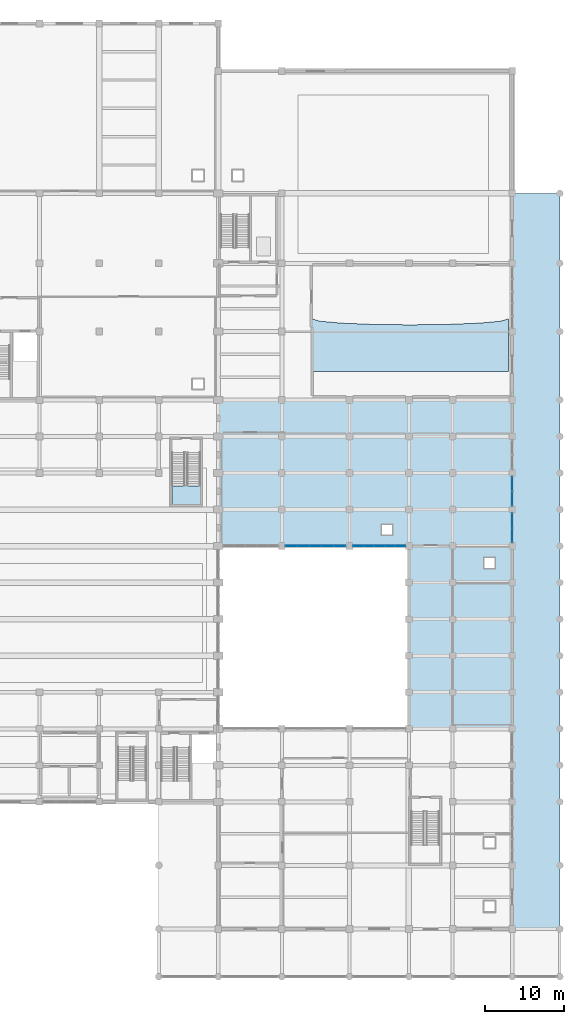
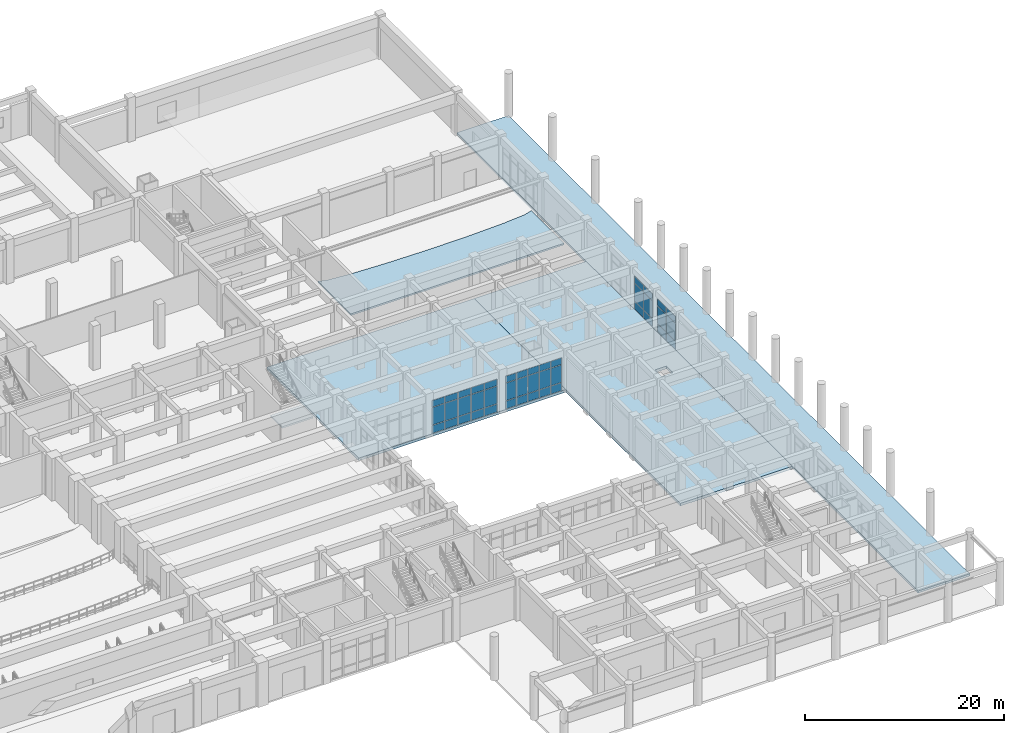
# One storey, part 59 of 84: 42 plates, 5 slabs, 5 elements without a shape of their own.
"""IFC4 building model written with IfcOpenShell, lengths in metres."""

import ifcopenshell
import ifcopenshell.guid

model = None  # the IFC model being written
_history = None  # IfcOwnerHistory: only IFC2X3 demands one
_inside = {}  # id of a spatial element -> (the spatial element, [elements in it])
_under = {}  # id of a project, library or spatial element -> (it, [spatial elements below it])
_declared = {}  # id of a project -> (the project, [libraries it declares])
_typed = {}  # id of a type object -> (the type object, [elements of that type])
_made_of = {}  # id of a material, layer set ... -> (it, [elements and type objects made of it])


def new_model(schema):
    """Start an empty IFC model of exactly this schema.

    Asked for "IFC4X3", IfcOpenShell would pick the latest addendum, in which some entities
    have other attributes; the version numbers below select the first issue.
    IFC2X3 requires an IfcOwnerHistory on every rooted entity: one is made here for all.
    """
    global model, _history
    if schema == "IFC4X3":
        model = ifcopenshell.file(schema_version=(4, 3, 0, 0))
    else:
        model = ifcopenshell.file(schema=schema)
    _inside.clear()
    _under.clear()
    _declared.clear()
    _typed.clear()
    _made_of.clear()
    _history = None
    if model.schema == "IFC2X3":
        org = make("IfcOrganization", Name="unknown")
        user = make(
            "IfcPersonAndOrganization",
            ThePerson=make("IfcPerson", FamilyName="unknown"),
            TheOrganization=org,
        )
        app = make(
            "IfcApplication",
            ApplicationDeveloper=org,
            Version="unknown",
            ApplicationFullName="unknown",
            ApplicationIdentifier="unknown",
        )
        _history = make(
            "IfcOwnerHistory",
            OwningUser=user,
            OwningApplication=app,
            ChangeAction="ADDED",
            CreationDate=0,
        )
    return model


def make(cls, **values):
    """One entity of the class cls with the attributes given. An attribute that is None is left unset."""
    return model.create_entity(
        cls, **{name: value for name, value in values.items() if value is not None}
    )


def rooted(cls, **values):
    """An entity with a GlobalId (a new one), such as an element, a storey or a relation."""
    return make(cls, GlobalId=ifcopenshell.guid.new(), OwnerHistory=_history, **values)


def si_unit(unit_type, name, prefix=None):
    """IfcSIUnit, for example si_unit("LENGTHUNIT", "METRE", prefix="MILLI")."""
    return make("IfcSIUnit", UnitType=unit_type, Prefix=prefix, Name=name)


def assignment(units):
    """IfcUnitAssignment: the units of a project."""
    return None if units is None else make("IfcUnitAssignment", Units=units)


def point(xyz):
    """IfcCartesianPoint."""
    return None if xyz is None else make("IfcCartesianPoint", Coordinates=xyz)


def direction(xyz):
    """IfcDirection."""
    return None if xyz is None else make("IfcDirection", DirectionRatios=xyz)


def frame(location, z_axis=None, x_axis=None):
    """IfcAxis2Placement3D, a coordinate frame: its origin and axes. An axis left out is left unset."""
    return make(
        "IfcAxis2Placement3D",
        Location=point(location),
        Axis=direction(z_axis),
        RefDirection=direction(x_axis),
    )


def frame_2d(location, x_axis=None):
    """IfcAxis2Placement2D, a coordinate frame in the plane: its origin and x axis."""
    return make(
        "IfcAxis2Placement2D", Location=point(location), RefDirection=direction(x_axis)
    )


def origin():
    """The frame at (0, 0, 0) with its axes left unset."""
    return frame((0.0, 0.0, 0.0))


def origin_2d():
    """The frame at (0, 0) in the plane with its x axis left unset."""
    return frame_2d((0.0, 0.0))


def place(relative_to, where):
    """IfcLocalPlacement: puts the frame where relative to a parent placement (None: the world)."""
    return make(
        "IfcLocalPlacement", PlacementRelTo=relative_to, RelativePlacement=where
    )


def context(
    kind, dimensions, precision=None, world=None, true_north=None, identifier=None
):
    """IfcGeometricRepresentationContext, for example the 3D "Model" context."""
    return make(
        "IfcGeometricRepresentationContext",
        ContextIdentifier=identifier,
        ContextType=kind,
        CoordinateSpaceDimension=dimensions,
        Precision=precision,
        WorldCoordinateSystem=world,
        TrueNorth=true_north,
    )


def subcontext(parent, identifier, kind, view, scale=None):
    """IfcGeometricRepresentationSubContext, for example "Body" below "Model"."""
    return make(
        "IfcGeometricRepresentationSubContext",
        ContextIdentifier=identifier,
        ContextType=kind,
        ParentContext=parent,
        TargetScale=scale,
        TargetView=view,
    )


def project(units=None, contexts=None):
    """IfcProject with its units and contexts."""
    return rooted(
        "IfcProject",
        Name="project",
        RepresentationContexts=contexts,
        UnitsInContext=assignment(units),
    )


def spatial(cls, under=None, at=None, **own):
    """A site, building, storey or space (cls), placed at a placement, below another one or the project."""
    s = rooted(cls, ObjectPlacement=at, **own)
    if under is not None:
        _under.setdefault(under.id(), (under, []))[1].append(s)
    return s


def polyline(points):
    """IfcPolyline through the points."""
    return make("IfcPolyline", Points=[point(p) for p in points])


def profile(cls, at=None, kind="AREA", **sizes):
    """A parametric profile (cls). Its sizes go by their IFC names, for example OverallWidth=200.0."""
    return make(cls, ProfileType=kind, Position=at, **sizes)


def rectangle(**sizes):
    """IfcRectangleProfileDef."""
    return profile("IfcRectangleProfileDef", **sizes)


def outline(outer, holes=None, kind="AREA"):
    """IfcArbitraryClosedProfileDef: a profile drawn as a closed curve; with holes, ...WithVoids."""
    if holes is None:
        return make("IfcArbitraryClosedProfileDef", ProfileType=kind, OuterCurve=outer)
    return make(
        "IfcArbitraryProfileDefWithVoids",
        ProfileType=kind,
        OuterCurve=outer,
        InnerCurves=holes,
    )


def extrude(swept, where, along, depth):
    """IfcExtrudedAreaSolid: the profile swept, set in the frame where, extruded along a direction by depth."""
    return make(
        "IfcExtrudedAreaSolid",
        SweptArea=swept,
        Position=where,
        ExtrudedDirection=direction(along),
        Depth=depth,
    )


def shape(context_of_items, identifier, shape_type, items):
    """IfcShapeRepresentation: the items that make up one representation, for example the "Body"."""
    return make(
        "IfcShapeRepresentation",
        ContextOfItems=context_of_items,
        RepresentationIdentifier=identifier,
        RepresentationType=shape_type,
        Items=items,
    )


def material(Name=None, Category=None):
    """IfcMaterial."""
    return make("IfcMaterial", Name=Name, Category=Category)


def layer(
    of_material, thickness, ventilated=None, Name=None, Category=None, Priority=None
):
    """IfcMaterialLayer: one layer of a wall or slab, of a material (None: an air gap)."""
    return make(
        "IfcMaterialLayer",
        Material=of_material,
        LayerThickness=thickness,
        IsVentilated=ventilated,
        Name=Name,
        Category=Category,
        Priority=Priority,
    )


def layer_set(layers, Name=None):
    """IfcMaterialLayerSet."""
    return make("IfcMaterialLayerSet", MaterialLayers=layers, LayerSetName=Name)


def made_of(thing, what):
    """Note that an element or type object is made of a material, layer set ...; save() writes the relation."""
    if what is not None:
        _made_of.setdefault(what.id(), (what, []))[1].append(thing)
    return thing


def type_object(cls, material=None, **own):
    """A type object (cls), such as IfcWallType, which elements share."""
    return made_of(rooted(cls, **own), material)


def element(
    cls,
    number,
    at=None,
    inside=None,
    cuts=None,
    type_object=None,
    material=None,
    context=None,
    identifier="Body",
    shape_type=None,
    held_by="IfcProductDefinitionShape",
    body=None,
    shapes=None,
    **own,
):
    """One element of the class cls, such as IfcWall. Its Tag is "e" and its number.

    at: its placement. inside: the storey or other place that contains it. cuts: it is an
    opening in that element (IfcRelVoidsElement). A single representation is given by context,
    identifier, shape_type and body (its items); several are given by shapes. held_by: the class
    of the entity that holds the representations. save() writes the other relations.
    """
    e = rooted(cls, Tag="e%d" % number, ObjectPlacement=at, **own)
    if body is not None:
        shapes = [shape(context, identifier, shape_type, body)]
    if shapes is not None:
        e.Representation = make(held_by, Representations=shapes)
    if inside is not None:
        _inside.setdefault(inside.id(), (inside, []))[1].append(e)
    if cuts is not None:
        rooted(
            "IfcRelVoidsElement", RelatingBuildingElement=cuts, RelatedOpeningElement=e
        )
    if type_object is not None:
        _typed.setdefault(type_object.id(), (type_object, []))[1].append(e)
    return made_of(e, material)


def aggregate(whole, parts):
    """IfcRelAggregates: a whole, such as a stair, and the parts it consists of."""
    return rooted("IfcRelAggregates", RelatingObject=whole, RelatedObjects=parts)


def save(model, path):
    """Write the relations noted so far, then the file.

    IfcRelAggregates (storeys below a building ...), IfcRelContainedInSpatialStructure (elements
    in a storey), IfcRelDefinesByType, IfcRelAssociatesMaterial and IfcRelDeclares: one each for
    every whole, place, type object, material and project.
    """
    for whole, parts in _under.values():
        aggregate(whole, parts)
    for where, things in _inside.values():
        rooted(
            "IfcRelContainedInSpatialStructure",
            RelatedElements=things,
            RelatingStructure=where,
        )
    for kind, things in _typed.values():
        rooted("IfcRelDefinesByType", RelatedObjects=things, RelatingType=kind)
    for what, things in _made_of.values():
        rooted("IfcRelAssociatesMaterial", RelatedObjects=things, RelatingMaterial=what)
    for by, libraries in _declared.values():
        rooted("IfcRelDeclares", RelatingContext=by, RelatedDefinitions=libraries)
    model.write(path)


model = new_model("IFC4")

# Units and contexts
model_context = context("Model", 3, precision=1e-05, world=origin(), true_north=direction((0.0, 1.0)))
body_context = subcontext(model_context, "Body", "Model", "MODEL_VIEW")
ifc_project = project(units=[si_unit("LENGTHUNIT", "METRE"), si_unit("AREAUNIT", "SQUARE_METRE"), si_unit("VOLUMEUNIT", "CUBIC_METRE"), si_unit("PLANEANGLEUNIT", "RADIAN"), si_unit("MASSUNIT", "GRAM", prefix="KILO")], contexts=[model_context])

# Site, building, storey
site_placement = place(None, origin())
site = spatial("IfcSite", under=ifc_project, at=site_placement, CompositionType="ELEMENT")
building_placement = place(site_placement, origin())
building = spatial("IfcBuilding", under=site, at=building_placement, Name="Muzn Square Opera House", CompositionType="ELEMENT")
storey_placement = place(building_placement, origin())
storey = spatial("IfcBuildingStorey", under=building, at=storey_placement, Name="L00", CompositionType="ELEMENT", Elevation=0.0)

# Slab
ifc_material_1 = material(Name="Concrete C40/50", Category="concrete")
ifc_layer_1 = layer(ifc_material_1, 0.199951171875, Name="Concrete C40/50", Category="concrete")
ifc_layer_set_1 = layer_set([ifc_layer_1], Name="Concrete C40/50")
slab_type_1 = type_object("IfcSlabType", Name="Auditorium Seating Tier 200mm", PredefinedType="USERDEFINED", material=ifc_layer_set_1)
slab_1_placement = place(storey_placement, origin())
element("IfcSlab", 1, at=slab_1_placement, inside=storey, type_object=slab_type_1, Name="Studio Theatre Seating Tier L00", ObjectType="SEATING TIER", PredefinedType="USERDEFINED", context=body_context, shape_type="SweptSolid", body=[
    extrude(outline(polyline([(144.800048828125, 76.199951171875), (169.5, 76.199951171875), (169.5, 82.800048828125), (168.559814453125, 82.512939453125), (165.8828125, 82.269775390625), (161.876220703125, 82.107177734375), (157.14990234375, 82.050048828125), (152.423828125, 82.107177734375), (148.417236328125, 82.269775390625), (145.739990234375, 82.512939453125), (144.800048828125, 82.800048828125), (144.800048828125, 76.199951171875)])), origin(), (0.0, 0.0, 1.0), 0.199951171875),
])

# Curtain wall, plates
ifc_material_2 = material(Name="Low-E laminated acoustic double glazing", Category="glass")
ifc_layer_2 = layer(ifc_material_2, 0.159912109375, Name="Low-E laminated acoustic double glazing", Category="glass")
ifc_layer_set_2 = layer_set([ifc_layer_2], Name="Low-E laminated acoustic double glazing")
curtain_wall_type_1 = type_object("IfcCurtainWallType", Name="Glazed Curtain Wall EastCloisterN 7650x4150", PredefinedType="USERDEFINED", material=ifc_layer_set_2)
curtain_wall_1_placement = place(storey_placement, origin())
curtain_wall_1 = element("IfcCurtainWall", 2, at=curtain_wall_1_placement, inside=storey, type_object=curtain_wall_type_1, Name="Glazed Curtain Wall CW-L00-078", ObjectType="GLAZED CURTAIN WALL", PredefinedType="USERDEFINED")
ifc_layer_3 = layer(ifc_material_2, 0.035888671875, Name="Low-E laminated acoustic double glazing", Category="glass")
ifc_layer_set_3 = layer_set([ifc_layer_3], Name="Low-E laminated acoustic double glazing")
plate_type = type_object("IfcPlateType", Name="Curtain Wall Solar Glazed Panel 36mm", PredefinedType="CURTAIN_PANEL", material=ifc_layer_set_3)
plate_1_placement = place(storey_placement, frame((142.20751953125, 54.199951171875, 0.06982421875), z_axis=(0.0, 0.0, 1.0), x_axis=(1.0, 0.0, 0.0)))
plate_1 = element("IfcPlate", 3, at=plate_1_placement, type_object=plate_type, Name="CW-ECN-76x41 panel 1.1", PredefinedType="CURTAIN_PANEL", context=body_context, shape_type="SweptSolid", body=[
    extrude(rectangle(XDim=1.425048828125, YDim=0.035888671875, at=origin_2d()), origin(), (0.0, 0.0, 1.0), 0.945068359375),
])
plate_2_placement = place(storey_placement, frame((142.20751953125, 54.199951171875, 1.0849609375), z_axis=(0.0, 0.0, 1.0), x_axis=(1.0, 0.0, 0.0)))
plate_2 = element("IfcPlate", 4, at=plate_2_placement, type_object=plate_type, Name="CW-ECN-76x41 panel 1.2", PredefinedType="CURTAIN_PANEL", context=body_context, shape_type="SweptSolid", body=[
    extrude(rectangle(XDim=1.425048828125, YDim=0.035888671875, at=origin_2d()), origin(), (0.0, 0.0, 1.0), 2.1298828125),
])
plate_3_placement = place(storey_placement, frame((142.20751953125, 54.199951171875, 3.28515625), z_axis=(0.0, 0.0, 1.0), x_axis=(1.0, 0.0, 0.0)))
plate_3 = element("IfcPlate", 5, at=plate_3_placement, type_object=plate_type, Name="CW-ECN-76x41 panel 1.3", PredefinedType="CURTAIN_PANEL", context=body_context, shape_type="SweptSolid", body=[
    extrude(rectangle(XDim=1.425048828125, YDim=0.035888671875, at=origin_2d()), origin(), (0.0, 0.0, 1.0), 0.794921875),
])
plate_4_placement = place(storey_placement, frame((143.719970703125, 54.199951171875, 0.06982421875), z_axis=(0.0, 0.0, 1.0), x_axis=(1.0, 0.0, 0.0)))
plate_4 = element("IfcPlate", 6, at=plate_4_placement, type_object=plate_type, Name="CW-ECN-76x41 panel 2.1", PredefinedType="CURTAIN_PANEL", context=body_context, shape_type="SweptSolid", body=[
    extrude(rectangle(XDim=1.4599609375, YDim=0.035888671875, at=origin_2d()), origin(), (0.0, 0.0, 1.0), 0.945068359375),
])
plate_5_placement = place(storey_placement, frame((143.719970703125, 54.199951171875, 1.0849609375), z_axis=(0.0, 0.0, 1.0), x_axis=(1.0, 0.0, 0.0)))
plate_5 = element("IfcPlate", 7, at=plate_5_placement, type_object=plate_type, Name="CW-ECN-76x41 panel 2.2", PredefinedType="CURTAIN_PANEL", context=body_context, shape_type="SweptSolid", body=[
    extrude(rectangle(XDim=1.4599609375, YDim=0.035888671875, at=origin_2d()), origin(), (0.0, 0.0, 1.0), 2.1298828125),
])
plate_6_placement = place(storey_placement, frame((143.719970703125, 54.199951171875, 3.28515625), z_axis=(0.0, 0.0, 1.0), x_axis=(1.0, 0.0, 0.0)))
plate_6 = element("IfcPlate", 8, at=plate_6_placement, type_object=plate_type, Name="CW-ECN-76x41 panel 2.3", PredefinedType="CURTAIN_PANEL", context=body_context, shape_type="SweptSolid", body=[
    extrude(rectangle(XDim=1.4599609375, YDim=0.035888671875, at=origin_2d()), origin(), (0.0, 0.0, 1.0), 0.794921875),
])
plate_7_placement = place(storey_placement, frame((145.25, 54.199951171875, 0.06982421875), z_axis=(0.0, 0.0, 1.0), x_axis=(1.0, 0.0, 0.0)))
plate_7 = element("IfcPlate", 9, at=plate_7_placement, type_object=plate_type, Name="CW-ECN-76x41 panel 3.1", PredefinedType="CURTAIN_PANEL", context=body_context, shape_type="SweptSolid", body=[
    extrude(rectangle(XDim=1.4599609375, YDim=0.035888671875, at=origin_2d()), origin(), (0.0, 0.0, 1.0), 0.945068359375),
])
plate_8_placement = place(storey_placement, frame((145.25, 54.199951171875, 1.0849609375), z_axis=(0.0, 0.0, 1.0), x_axis=(1.0, 0.0, 0.0)))
plate_8 = element("IfcPlate", 10, at=plate_8_placement, type_object=plate_type, Name="CW-ECN-76x41 panel 3.2", PredefinedType="CURTAIN_PANEL", context=body_context, shape_type="SweptSolid", body=[
    extrude(rectangle(XDim=1.4599609375, YDim=0.035888671875, at=origin_2d()), origin(), (0.0, 0.0, 1.0), 2.1298828125),
])
plate_9_placement = place(storey_placement, frame((145.25, 54.199951171875, 3.28515625), z_axis=(0.0, 0.0, 1.0), x_axis=(1.0, 0.0, 0.0)))
plate_9 = element("IfcPlate", 11, at=plate_9_placement, type_object=plate_type, Name="CW-ECN-76x41 panel 3.3", PredefinedType="CURTAIN_PANEL", context=body_context, shape_type="SweptSolid", body=[
    extrude(rectangle(XDim=1.4599609375, YDim=0.035888671875, at=origin_2d()), origin(), (0.0, 0.0, 1.0), 0.794921875),
])
plate_10_placement = place(storey_placement, frame((146.780029296875, 54.199951171875, 0.06982421875), z_axis=(0.0, 0.0, 1.0), x_axis=(1.0, 0.0, 0.0)))
plate_10 = element("IfcPlate", 12, at=plate_10_placement, type_object=plate_type, Name="CW-ECN-76x41 panel 4.1", PredefinedType="CURTAIN_PANEL", context=body_context, shape_type="SweptSolid", body=[
    extrude(rectangle(XDim=1.4599609375, YDim=0.035888671875, at=origin_2d()), origin(), (0.0, 0.0, 1.0), 0.945068359375),
])
plate_11_placement = place(storey_placement, frame((146.780029296875, 54.199951171875, 1.0849609375), z_axis=(0.0, 0.0, 1.0), x_axis=(1.0, 0.0, 0.0)))
plate_11 = element("IfcPlate", 13, at=plate_11_placement, type_object=plate_type, Name="CW-ECN-76x41 panel 4.2", PredefinedType="CURTAIN_PANEL", context=body_context, shape_type="SweptSolid", body=[
    extrude(rectangle(XDim=1.4599609375, YDim=0.035888671875, at=origin_2d()), origin(), (0.0, 0.0, 1.0), 2.1298828125),
])
plate_12_placement = place(storey_placement, frame((146.780029296875, 54.199951171875, 3.28515625), z_axis=(0.0, 0.0, 1.0), x_axis=(1.0, 0.0, 0.0)))
plate_12 = element("IfcPlate", 14, at=plate_12_placement, type_object=plate_type, Name="CW-ECN-76x41 panel 4.3", PredefinedType="CURTAIN_PANEL", context=body_context, shape_type="SweptSolid", body=[
    extrude(rectangle(XDim=1.4599609375, YDim=0.035888671875, at=origin_2d()), origin(), (0.0, 0.0, 1.0), 0.794921875),
])
plate_13_placement = place(storey_placement, frame((148.29248046875, 54.199951171875, 0.06982421875), z_axis=(0.0, 0.0, 1.0), x_axis=(1.0, 0.0, 0.0)))
plate_13 = element("IfcPlate", 15, at=plate_13_placement, type_object=plate_type, Name="CW-ECN-76x41 panel 5.1", PredefinedType="CURTAIN_PANEL", context=body_context, shape_type="SweptSolid", body=[
    extrude(rectangle(XDim=1.425048828125, YDim=0.035888671875, at=origin_2d()), origin(), (0.0, 0.0, 1.0), 0.945068359375),
])
plate_14_placement = place(storey_placement, frame((148.29248046875, 54.199951171875, 1.0849609375), z_axis=(0.0, 0.0, 1.0), x_axis=(1.0, 0.0, 0.0)))
plate_14 = element("IfcPlate", 16, at=plate_14_placement, type_object=plate_type, Name="CW-ECN-76x41 panel 5.2", PredefinedType="CURTAIN_PANEL", context=body_context, shape_type="SweptSolid", body=[
    extrude(rectangle(XDim=1.425048828125, YDim=0.035888671875, at=origin_2d()), origin(), (0.0, 0.0, 1.0), 2.1298828125),
])
plate_15_placement = place(storey_placement, frame((148.29248046875, 54.199951171875, 3.28515625), z_axis=(0.0, 0.0, 1.0), x_axis=(1.0, 0.0, 0.0)))
plate_15 = element("IfcPlate", 17, at=plate_15_placement, type_object=plate_type, Name="CW-ECN-76x41 panel 5.3", PredefinedType="CURTAIN_PANEL", context=body_context, shape_type="SweptSolid", body=[
    extrude(rectangle(XDim=1.425048828125, YDim=0.035888671875, at=origin_2d()), origin(), (0.0, 0.0, 1.0), 0.794921875),
])
aggregate(curtain_wall_1, [plate_1, plate_2, plate_3, plate_4, plate_5, plate_6, plate_7, plate_8, plate_9, plate_10, plate_11, plate_12, plate_13, plate_14, plate_15])

ifc_layer_4 = layer(ifc_material_2, 0.159912109375, Name="Low-E laminated acoustic double glazing", Category="glass")
ifc_layer_set_4 = layer_set([ifc_layer_4], Name="Low-E laminated acoustic double glazing")
curtain_wall_type_2 = type_object("IfcCurtainWallType", Name="Glazed Curtain Wall EastCloisterN 6650x4150", PredefinedType="USERDEFINED", material=ifc_layer_set_4)
curtain_wall_2_placement = place(storey_placement, origin())
curtain_wall_2 = element("IfcCurtainWall", 18, at=curtain_wall_2_placement, inside=storey, type_object=curtain_wall_type_2, Name="Glazed Curtain Wall CW-L00-080", ObjectType="GLAZED CURTAIN WALL", PredefinedType="USERDEFINED")
plate_16_placement = place(storey_placement, frame((150.607421875, 54.199951171875, 0.06982421875), z_axis=(0.0, 0.0, 1.0), x_axis=(1.0, 0.0, 0.0)))
plate_16 = element("IfcPlate", 19, at=plate_16_placement, type_object=plate_type, Name="CW-ECN-66x41 panel 1.1", PredefinedType="CURTAIN_PANEL", context=body_context, shape_type="SweptSolid", body=[
    extrude(rectangle(XDim=1.22509765625, YDim=0.035888671875, at=origin_2d()), origin(), (0.0, 0.0, 1.0), 0.945068359375),
])
plate_17_placement = place(storey_placement, frame((150.607421875, 54.199951171875, 1.0849609375), z_axis=(0.0, 0.0, 1.0), x_axis=(1.0, 0.0, 0.0)))
plate_17 = element("IfcPlate", 20, at=plate_17_placement, type_object=plate_type, Name="CW-ECN-66x41 panel 1.2", PredefinedType="CURTAIN_PANEL", context=body_context, shape_type="SweptSolid", body=[
    extrude(rectangle(XDim=1.22509765625, YDim=0.035888671875, at=origin_2d()), origin(), (0.0, 0.0, 1.0), 2.1298828125),
])
plate_18_placement = place(storey_placement, frame((150.607421875, 54.199951171875, 3.28515625), z_axis=(0.0, 0.0, 1.0), x_axis=(1.0, 0.0, 0.0)))
plate_18 = element("IfcPlate", 21, at=plate_18_placement, type_object=plate_type, Name="CW-ECN-66x41 panel 1.3", PredefinedType="CURTAIN_PANEL", context=body_context, shape_type="SweptSolid", body=[
    extrude(rectangle(XDim=1.22509765625, YDim=0.035888671875, at=origin_2d()), origin(), (0.0, 0.0, 1.0), 0.794921875),
])
plate_19_placement = place(storey_placement, frame((151.919921875, 54.199951171875, 0.06982421875), z_axis=(0.0, 0.0, 1.0), x_axis=(1.0, 0.0, 0.0)))
plate_19 = element("IfcPlate", 22, at=plate_19_placement, type_object=plate_type, Name="CW-ECN-66x41 panel 2.1", PredefinedType="CURTAIN_PANEL", context=body_context, shape_type="SweptSolid", body=[
    extrude(rectangle(XDim=1.260009765625, YDim=0.035888671875, at=origin_2d()), origin(), (0.0, 0.0, 1.0), 0.945068359375),
])
plate_20_placement = place(storey_placement, frame((151.919921875, 54.199951171875, 1.0849609375), z_axis=(0.0, 0.0, 1.0), x_axis=(1.0, 0.0, 0.0)))
plate_20 = element("IfcPlate", 23, at=plate_20_placement, type_object=plate_type, Name="CW-ECN-66x41 panel 2.2", PredefinedType="CURTAIN_PANEL", context=body_context, shape_type="SweptSolid", body=[
    extrude(rectangle(XDim=1.260009765625, YDim=0.035888671875, at=origin_2d()), origin(), (0.0, 0.0, 1.0), 2.1298828125),
])
plate_21_placement = place(storey_placement, frame((151.919921875, 54.199951171875, 3.28515625), z_axis=(0.0, 0.0, 1.0), x_axis=(1.0, 0.0, 0.0)))
plate_21 = element("IfcPlate", 24, at=plate_21_placement, type_object=plate_type, Name="CW-ECN-66x41 panel 2.3", PredefinedType="CURTAIN_PANEL", context=body_context, shape_type="SweptSolid", body=[
    extrude(rectangle(XDim=1.260009765625, YDim=0.035888671875, at=origin_2d()), origin(), (0.0, 0.0, 1.0), 0.794921875),
])
plate_22_placement = place(storey_placement, frame((153.25, 54.199951171875, 0.06982421875), z_axis=(0.0, 0.0, 1.0), x_axis=(1.0, 0.0, 0.0)))
plate_22 = element("IfcPlate", 25, at=plate_22_placement, type_object=plate_type, Name="CW-ECN-66x41 panel 3.1", PredefinedType="CURTAIN_PANEL", context=body_context, shape_type="SweptSolid", body=[
    extrude(rectangle(XDim=1.260009765625, YDim=0.035888671875, at=origin_2d()), origin(), (0.0, 0.0, 1.0), 0.945068359375),
])
plate_23_placement = place(storey_placement, frame((153.25, 54.199951171875, 1.0849609375), z_axis=(0.0, 0.0, 1.0), x_axis=(1.0, 0.0, 0.0)))
plate_23 = element("IfcPlate", 26, at=plate_23_placement, type_object=plate_type, Name="CW-ECN-66x41 panel 3.2", PredefinedType="CURTAIN_PANEL", context=body_context, shape_type="SweptSolid", body=[
    extrude(rectangle(XDim=1.260009765625, YDim=0.035888671875, at=origin_2d()), origin(), (0.0, 0.0, 1.0), 2.1298828125),
])
plate_24_placement = place(storey_placement, frame((153.25, 54.199951171875, 3.28515625), z_axis=(0.0, 0.0, 1.0), x_axis=(1.0, 0.0, 0.0)))
plate_24 = element("IfcPlate", 27, at=plate_24_placement, type_object=plate_type, Name="CW-ECN-66x41 panel 3.3", PredefinedType="CURTAIN_PANEL", context=body_context, shape_type="SweptSolid", body=[
    extrude(rectangle(XDim=1.260009765625, YDim=0.035888671875, at=origin_2d()), origin(), (0.0, 0.0, 1.0), 0.794921875),
])
plate_25_placement = place(storey_placement, frame((154.580078125, 54.199951171875, 0.06982421875), z_axis=(0.0, 0.0, 1.0), x_axis=(1.0, 0.0, 0.0)))
plate_25 = element("IfcPlate", 28, at=plate_25_placement, type_object=plate_type, Name="CW-ECN-66x41 panel 4.1", PredefinedType="CURTAIN_PANEL", context=body_context, shape_type="SweptSolid", body=[
    extrude(rectangle(XDim=1.260009765625, YDim=0.035888671875, at=origin_2d()), origin(), (0.0, 0.0, 1.0), 0.945068359375),
])
plate_26_placement = place(storey_placement, frame((154.580078125, 54.199951171875, 1.0849609375), z_axis=(0.0, 0.0, 1.0), x_axis=(1.0, 0.0, 0.0)))
plate_26 = element("IfcPlate", 29, at=plate_26_placement, type_object=plate_type, Name="CW-ECN-66x41 panel 4.2", PredefinedType="CURTAIN_PANEL", context=body_context, shape_type="SweptSolid", body=[
    extrude(rectangle(XDim=1.260009765625, YDim=0.035888671875, at=origin_2d()), origin(), (0.0, 0.0, 1.0), 2.1298828125),
])
plate_27_placement = place(storey_placement, frame((154.580078125, 54.199951171875, 3.28515625), z_axis=(0.0, 0.0, 1.0), x_axis=(1.0, 0.0, 0.0)))
plate_27 = element("IfcPlate", 30, at=plate_27_placement, type_object=plate_type, Name="CW-ECN-66x41 panel 4.3", PredefinedType="CURTAIN_PANEL", context=body_context, shape_type="SweptSolid", body=[
    extrude(rectangle(XDim=1.260009765625, YDim=0.035888671875, at=origin_2d()), origin(), (0.0, 0.0, 1.0), 0.794921875),
])
plate_28_placement = place(storey_placement, frame((155.892578125, 54.199951171875, 0.06982421875), z_axis=(0.0, 0.0, 1.0), x_axis=(1.0, 0.0, 0.0)))
plate_28 = element("IfcPlate", 31, at=plate_28_placement, type_object=plate_type, Name="CW-ECN-66x41 panel 5.1", PredefinedType="CURTAIN_PANEL", context=body_context, shape_type="SweptSolid", body=[
    extrude(rectangle(XDim=1.22509765625, YDim=0.035888671875, at=origin_2d()), origin(), (0.0, 0.0, 1.0), 0.945068359375),
])
plate_29_placement = place(storey_placement, frame((155.892578125, 54.199951171875, 1.0849609375), z_axis=(0.0, 0.0, 1.0), x_axis=(1.0, 0.0, 0.0)))
plate_29 = element("IfcPlate", 32, at=plate_29_placement, type_object=plate_type, Name="CW-ECN-66x41 panel 5.2", PredefinedType="CURTAIN_PANEL", context=body_context, shape_type="SweptSolid", body=[
    extrude(rectangle(XDim=1.22509765625, YDim=0.035888671875, at=origin_2d()), origin(), (0.0, 0.0, 1.0), 2.1298828125),
])
plate_30_placement = place(storey_placement, frame((155.892578125, 54.199951171875, 3.28515625), z_axis=(0.0, 0.0, 1.0), x_axis=(1.0, 0.0, 0.0)))
plate_30 = element("IfcPlate", 33, at=plate_30_placement, type_object=plate_type, Name="CW-ECN-66x41 panel 5.3", PredefinedType="CURTAIN_PANEL", context=body_context, shape_type="SweptSolid", body=[
    extrude(rectangle(XDim=1.22509765625, YDim=0.035888671875, at=origin_2d()), origin(), (0.0, 0.0, 1.0), 0.794921875),
])
aggregate(curtain_wall_2, [plate_16, plate_17, plate_18, plate_19, plate_20, plate_21, plate_22, plate_23, plate_24, plate_25, plate_26, plate_27, plate_28, plate_29, plate_30])

ifc_layer_5 = layer(ifc_material_2, 0.159912109375, Name="Low-E laminated acoustic double glazing", Category="glass")
ifc_layer_set_5 = layer_set([ifc_layer_5], Name="Low-E laminated acoustic double glazing")
curtain_wall_type_3 = type_object("IfcCurtainWallType", Name="Glazed Curtain Wall EastBlvd 3750x4150", PredefinedType="USERDEFINED", material=ifc_layer_set_5)
curtain_wall_3_placement = place(storey_placement, origin())
curtain_wall_3 = element("IfcCurtainWall", 34, at=curtain_wall_3_placement, inside=storey, type_object=curtain_wall_type_3, Name="Glazed Curtain Wall CW-L00-108", ObjectType="GLAZED CURTAIN WALL", PredefinedType="USERDEFINED")
plate_31_placement = place(storey_placement, frame((170.0, 55.580078125, 0.06982421875), z_axis=(0.0, 0.0, 1.0), x_axis=(0.0, 1.0, 0.0)))
plate_31 = element("IfcPlate", 35, at=plate_31_placement, type_object=plate_type, Name="CW-EBL-37x41 panel 1.1", PredefinedType="CURTAIN_PANEL", context=body_context, shape_type="SweptSolid", body=[
    extrude(rectangle(XDim=1.77001953125, YDim=0.035888671875, at=origin_2d()), origin(), (0.0, 0.0, 1.0), 0.945068359375),
])
plate_32_placement = place(storey_placement, frame((170.0, 55.580078125, 1.0849609375), z_axis=(0.0, 0.0, 1.0), x_axis=(0.0, 1.0, 0.0)))
plate_32 = element("IfcPlate", 36, at=plate_32_placement, type_object=plate_type, Name="CW-EBL-37x41 panel 1.2", PredefinedType="CURTAIN_PANEL", context=body_context, shape_type="SweptSolid", body=[
    extrude(rectangle(XDim=1.77001953125, YDim=0.035888671875, at=origin_2d()), origin(), (0.0, 0.0, 1.0), 2.1298828125),
])
plate_33_placement = place(storey_placement, frame((170.0, 55.580078125, 3.28515625), z_axis=(0.0, 0.0, 1.0), x_axis=(0.0, 1.0, 0.0)))
plate_33 = element("IfcPlate", 37, at=plate_33_placement, type_object=plate_type, Name="CW-EBL-37x41 panel 1.3", PredefinedType="CURTAIN_PANEL", context=body_context, shape_type="SweptSolid", body=[
    extrude(rectangle(XDim=1.77001953125, YDim=0.035888671875, at=origin_2d()), origin(), (0.0, 0.0, 1.0), 0.794921875),
])
plate_34_placement = place(storey_placement, frame((170.0, 57.419921875, 0.06982421875), z_axis=(0.0, 0.0, 1.0), x_axis=(0.0, 1.0, 0.0)))
plate_34 = element("IfcPlate", 38, at=plate_34_placement, type_object=plate_type, Name="CW-EBL-37x41 panel 2.1", PredefinedType="CURTAIN_PANEL", context=body_context, shape_type="SweptSolid", body=[
    extrude(rectangle(XDim=1.77001953125, YDim=0.035888671875, at=origin_2d()), origin(), (0.0, 0.0, 1.0), 0.945068359375),
])
plate_35_placement = place(storey_placement, frame((170.0, 57.419921875, 1.0849609375), z_axis=(0.0, 0.0, 1.0), x_axis=(0.0, 1.0, 0.0)))
plate_35 = element("IfcPlate", 39, at=plate_35_placement, type_object=plate_type, Name="CW-EBL-37x41 panel 2.2", PredefinedType="CURTAIN_PANEL", context=body_context, shape_type="SweptSolid", body=[
    extrude(rectangle(XDim=1.77001953125, YDim=0.035888671875, at=origin_2d()), origin(), (0.0, 0.0, 1.0), 2.1298828125),
])
plate_36_placement = place(storey_placement, frame((170.0, 57.419921875, 3.28515625), z_axis=(0.0, 0.0, 1.0), x_axis=(0.0, 1.0, 0.0)))
plate_36 = element("IfcPlate", 40, at=plate_36_placement, type_object=plate_type, Name="CW-EBL-37x41 panel 2.3", PredefinedType="CURTAIN_PANEL", context=body_context, shape_type="SweptSolid", body=[
    extrude(rectangle(XDim=1.77001953125, YDim=0.035888671875, at=origin_2d()), origin(), (0.0, 0.0, 1.0), 0.794921875),
])
aggregate(curtain_wall_3, [plate_31, plate_32, plate_33, plate_34, plate_35, plate_36])

curtain_wall_4_placement = place(storey_placement, origin())
curtain_wall_4 = element("IfcCurtainWall", 41, at=curtain_wall_4_placement, inside=storey, type_object=curtain_wall_type_3, Name="Glazed Curtain Wall CW-L00-109", ObjectType="GLAZED CURTAIN WALL", PredefinedType="USERDEFINED")
plate_37_placement = place(storey_placement, frame((170.0, 60.179931640625, 0.06982421875), z_axis=(0.0, 0.0, 1.0), x_axis=(0.0, 1.0, 0.0)))
plate_37 = element("IfcPlate", 42, at=plate_37_placement, type_object=plate_type, Name="CW-EBL-37x41 panel 1.1", PredefinedType="CURTAIN_PANEL", context=body_context, shape_type="SweptSolid", body=[
    extrude(rectangle(XDim=1.77001953125, YDim=0.035888671875, at=origin_2d()), origin(), (0.0, 0.0, 1.0), 0.945068359375),
])
plate_38_placement = place(storey_placement, frame((170.0, 60.179931640625, 1.0849609375), z_axis=(0.0, 0.0, 1.0), x_axis=(0.0, 1.0, 0.0)))
plate_38 = element("IfcPlate", 43, at=plate_38_placement, type_object=plate_type, Name="CW-EBL-37x41 panel 1.2", PredefinedType="CURTAIN_PANEL", context=body_context, shape_type="SweptSolid", body=[
    extrude(rectangle(XDim=1.77001953125, YDim=0.035888671875, at=origin_2d()), origin(), (0.0, 0.0, 1.0), 2.1298828125),
])
plate_39_placement = place(storey_placement, frame((170.0, 60.179931640625, 3.28515625), z_axis=(0.0, 0.0, 1.0), x_axis=(0.0, 1.0, 0.0)))
plate_39 = element("IfcPlate", 44, at=plate_39_placement, type_object=plate_type, Name="CW-EBL-37x41 panel 1.3", PredefinedType="CURTAIN_PANEL", context=body_context, shape_type="SweptSolid", body=[
    extrude(rectangle(XDim=1.77001953125, YDim=0.035888671875, at=origin_2d()), origin(), (0.0, 0.0, 1.0), 0.794921875),
])
plate_40_placement = place(storey_placement, frame((170.0, 62.02001953125, 0.06982421875), z_axis=(0.0, 0.0, 1.0), x_axis=(0.0, 1.0, 0.0)))
plate_40 = element("IfcPlate", 45, at=plate_40_placement, type_object=plate_type, Name="CW-EBL-37x41 panel 2.1", PredefinedType="CURTAIN_PANEL", context=body_context, shape_type="SweptSolid", body=[
    extrude(rectangle(XDim=1.77001953125, YDim=0.035888671875, at=origin_2d()), origin(), (0.0, 0.0, 1.0), 0.945068359375),
])
plate_41_placement = place(storey_placement, frame((170.0, 62.02001953125, 1.0849609375), z_axis=(0.0, 0.0, 1.0), x_axis=(0.0, 1.0, 0.0)))
plate_41 = element("IfcPlate", 46, at=plate_41_placement, type_object=plate_type, Name="CW-EBL-37x41 panel 2.2", PredefinedType="CURTAIN_PANEL", context=body_context, shape_type="SweptSolid", body=[
    extrude(rectangle(XDim=1.77001953125, YDim=0.035888671875, at=origin_2d()), origin(), (0.0, 0.0, 1.0), 2.1298828125),
])
plate_42_placement = place(storey_placement, frame((170.0, 62.02001953125, 3.28515625), z_axis=(0.0, 0.0, 1.0), x_axis=(0.0, 1.0, 0.0)))
plate_42 = element("IfcPlate", 47, at=plate_42_placement, type_object=plate_type, Name="CW-EBL-37x41 panel 2.3", PredefinedType="CURTAIN_PANEL", context=body_context, shape_type="SweptSolid", body=[
    extrude(rectangle(XDim=1.77001953125, YDim=0.035888671875, at=origin_2d()), origin(), (0.0, 0.0, 1.0), 0.794921875),
])
aggregate(curtain_wall_4, [plate_37, plate_38, plate_39, plate_40, plate_41, plate_42])

# Slabs
ifc_layer_6 = layer(ifc_material_1, 0.320068359375, Name="Concrete C40/50", Category="concrete")
ifc_layer_set_6 = layer_set([ifc_layer_6], Name="Concrete C40/50")
slab_type_2 = type_object("IfcSlabType", Name="Floor Slab 320mm", PredefinedType="FLOOR", material=ifc_layer_set_6)
slab_2_placement = place(storey_placement, frame((0.0, 0.0, -0.320068359375)))
element("IfcSlab", 48, at=slab_2_placement, inside=storey, type_object=slab_type_2, Name="Floor Slab SLB-L00-EOUTER", PredefinedType="FLOOR", context=body_context, shape_type="SweptSolid", body=[
    extrude(outline(polyline([(157.0, 31.199951171875), (170.0, 31.199951171875), (170.0, 72.60009765625), (157.0, 72.60009765625), (157.0, 31.199951171875)]), holes=[polyline([(166.5, 51.39990234375), (167.800048828125, 51.39990234375), (167.800048828125, 52.699951171875), (166.5, 52.699951171875), (166.5, 51.39990234375)])]), origin(), (0.0, 0.0, 1.0), 0.320068359375),
])
slab_3_placement = place(storey_placement, frame((0.0, 0.0, -0.320068359375)))
element("IfcSlab", 49, at=slab_3_placement, inside=storey, type_object=slab_type_2, Name="Floor Slab SLB-L00-EMID", PredefinedType="FLOOR", context=body_context, shape_type="SweptSolid", body=[
    extrude(outline(polyline([(133.0, 54.199951171875), (157.0, 54.199951171875), (157.0, 72.60009765625), (133.0, 72.60009765625), (133.0, 54.199951171875)]), holes=[polyline([(153.60009765625, 55.60009765625), (154.89990234375, 55.60009765625), (154.89990234375, 56.89990234375), (153.60009765625, 56.89990234375), (153.60009765625, 55.60009765625)])]), origin(), (0.0, 0.0, 1.0), 0.320068359375),
])

# Stair, slab
stair_type = type_object("IfcStairType", Name="Core Escape Dogleg Stair", PredefinedType="HALF_TURN_STAIR", material=ifc_material_1)
stair_placement = place(storey_placement, origin())
stair = element("IfcStair", 50, at=stair_placement, inside=storey, type_object=stair_type, Name="L00 Escape Stair ST-10", PredefinedType="HALF_TURN_STAIR")
ifc_layer_7 = layer(ifc_material_1, 0.199951171875, Name="Concrete C40/50", Category="concrete")
ifc_layer_set_7 = layer_set([ifc_layer_7], Name="Concrete C40/50")
slab_type_3 = type_object("IfcSlabType", Name="Stair Half Landing 200mm", PredefinedType="LANDING", material=ifc_layer_set_7)
slab_4_placement = place(storey_placement, frame((0.0, 0.0, 2.5)))
slab_4 = element("IfcSlab", 51, at=slab_4_placement, type_object=slab_type_3, Name="ST-10 landing 1", PredefinedType="LANDING", context=body_context, shape_type="SweptSolid", body=[
    extrude(outline(polyline([(127.14990234375, 61.7900390625), (127.14990234375, 59.449951171875), (130.75, 59.449951171875), (130.75, 61.7900390625), (127.14990234375, 61.7900390625)])), origin(), (0.0, 0.0, 1.0), 0.199951171875),
])
aggregate(stair, [slab_4])

# Slab
ifc_layer_8 = layer(ifc_material_1, 0.260009765625, Name="Concrete C40/50", Category="concrete")
ifc_layer_set_8 = layer_set([ifc_layer_8], Name="Concrete C40/50")
slab_type_4 = type_object("IfcSlabType", Name="Terrace Slab 260mm", PredefinedType="FLOOR", material=ifc_layer_set_8)
slab_5_placement = place(storey_placement, frame((0.0, 0.0, -0.260009765625)))
element("IfcSlab", 52, at=slab_5_placement, inside=storey, type_object=slab_type_4, Name="Outdoor Terrace Slab EXT-L00-COL-EB", PredefinedType="FLOOR", context=body_context, shape_type="SweptSolid", body=[
    extrude(outline(polyline([(170.0, 6.0), (176.0, 6.0), (176.0, 98.60009765625), (170.0, 98.60009765625), (170.0, 6.0)])), origin(), (0.0, 0.0, 1.0), 0.260009765625),
])

save(model, "model.ifc")
